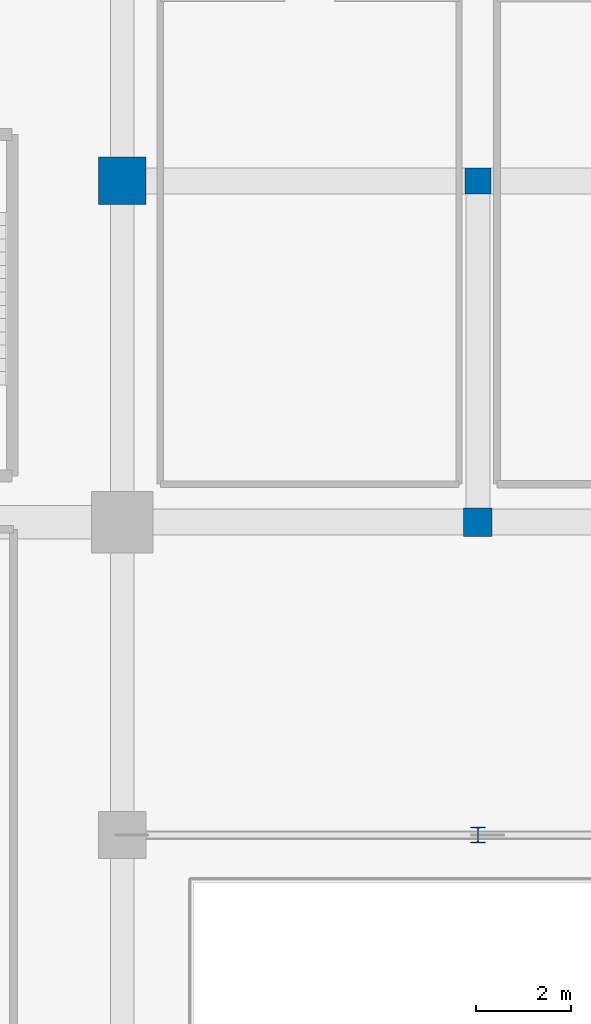
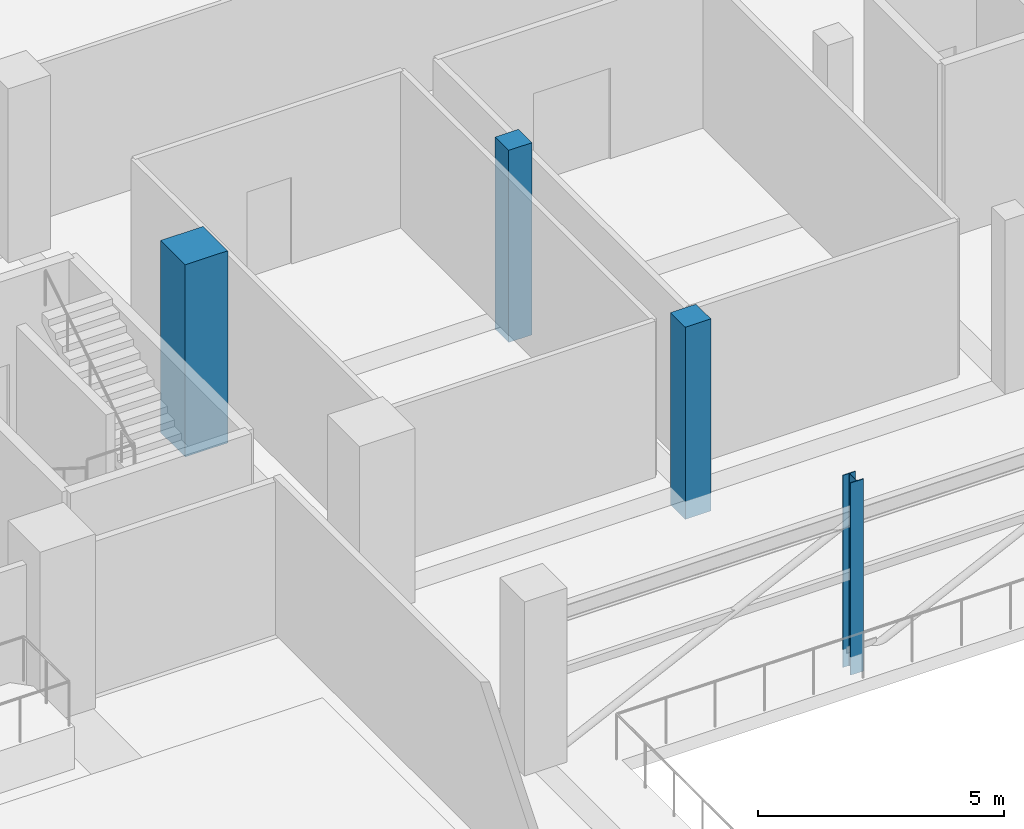
# One storey, part 3 of 68: 4 columns.
"""IFC4 building model written with IfcOpenShell, lengths in metres."""

import ifcopenshell
import ifcopenshell.guid

model = None  # the IFC model being written
_history = None  # IfcOwnerHistory: only IFC2X3 demands one
_inside = {}  # id of a spatial element -> (the spatial element, [elements in it])
_under = {}  # id of a project, library or spatial element -> (it, [spatial elements below it])
_declared = {}  # id of a project -> (the project, [libraries it declares])
_typed = {}  # id of a type object -> (the type object, [elements of that type])
_made_of = {}  # id of a material, layer set ... -> (it, [elements and type objects made of it])


def new_model(schema):
    """Start an empty IFC model of exactly this schema.

    Asked for "IFC4X3", IfcOpenShell would pick the latest addendum, in which some entities
    have other attributes; the version numbers below select the first issue.
    IFC2X3 requires an IfcOwnerHistory on every rooted entity: one is made here for all.
    """
    global model, _history
    if schema == "IFC4X3":
        model = ifcopenshell.file(schema_version=(4, 3, 0, 0))
    else:
        model = ifcopenshell.file(schema=schema)
    _inside.clear()
    _under.clear()
    _declared.clear()
    _typed.clear()
    _made_of.clear()
    _history = None
    if model.schema == "IFC2X3":
        org = make("IfcOrganization", Name="unknown")
        user = make(
            "IfcPersonAndOrganization",
            ThePerson=make("IfcPerson", FamilyName="unknown"),
            TheOrganization=org,
        )
        app = make(
            "IfcApplication",
            ApplicationDeveloper=org,
            Version="unknown",
            ApplicationFullName="unknown",
            ApplicationIdentifier="unknown",
        )
        _history = make(
            "IfcOwnerHistory",
            OwningUser=user,
            OwningApplication=app,
            ChangeAction="ADDED",
            CreationDate=0,
        )
    return model


def make(cls, **values):
    """One entity of the class cls with the attributes given. An attribute that is None is left unset."""
    return model.create_entity(
        cls, **{name: value for name, value in values.items() if value is not None}
    )


def rooted(cls, **values):
    """An entity with a GlobalId (a new one), such as an element, a storey or a relation."""
    return make(cls, GlobalId=ifcopenshell.guid.new(), OwnerHistory=_history, **values)


def si_unit(unit_type, name, prefix=None):
    """IfcSIUnit, for example si_unit("LENGTHUNIT", "METRE", prefix="MILLI")."""
    return make("IfcSIUnit", UnitType=unit_type, Prefix=prefix, Name=name)


def assignment(units):
    """IfcUnitAssignment: the units of a project."""
    return None if units is None else make("IfcUnitAssignment", Units=units)


def point(xyz):
    """IfcCartesianPoint."""
    return None if xyz is None else make("IfcCartesianPoint", Coordinates=xyz)


def direction(xyz):
    """IfcDirection."""
    return None if xyz is None else make("IfcDirection", DirectionRatios=xyz)


def frame(location, z_axis=None, x_axis=None):
    """IfcAxis2Placement3D, a coordinate frame: its origin and axes. An axis left out is left unset."""
    return make(
        "IfcAxis2Placement3D",
        Location=point(location),
        Axis=direction(z_axis),
        RefDirection=direction(x_axis),
    )


def frame_2d(location, x_axis=None):
    """IfcAxis2Placement2D, a coordinate frame in the plane: its origin and x axis."""
    return make(
        "IfcAxis2Placement2D", Location=point(location), RefDirection=direction(x_axis)
    )


def origin():
    """The frame at (0, 0, 0) with its axes left unset."""
    return frame((0.0, 0.0, 0.0))


def origin_2d():
    """The frame at (0, 0) in the plane with its x axis left unset."""
    return frame_2d((0.0, 0.0))


def place(relative_to, where):
    """IfcLocalPlacement: puts the frame where relative to a parent placement (None: the world)."""
    return make(
        "IfcLocalPlacement", PlacementRelTo=relative_to, RelativePlacement=where
    )


def context(
    kind, dimensions, precision=None, world=None, true_north=None, identifier=None
):
    """IfcGeometricRepresentationContext, for example the 3D "Model" context."""
    return make(
        "IfcGeometricRepresentationContext",
        ContextIdentifier=identifier,
        ContextType=kind,
        CoordinateSpaceDimension=dimensions,
        Precision=precision,
        WorldCoordinateSystem=world,
        TrueNorth=true_north,
    )


def subcontext(parent, identifier, kind, view, scale=None):
    """IfcGeometricRepresentationSubContext, for example "Body" below "Model"."""
    return make(
        "IfcGeometricRepresentationSubContext",
        ContextIdentifier=identifier,
        ContextType=kind,
        ParentContext=parent,
        TargetScale=scale,
        TargetView=view,
    )


def project(units=None, contexts=None):
    """IfcProject with its units and contexts."""
    return rooted(
        "IfcProject",
        Name="project",
        RepresentationContexts=contexts,
        UnitsInContext=assignment(units),
    )


def spatial(cls, under=None, at=None, **own):
    """A site, building, storey or space (cls), placed at a placement, below another one or the project."""
    s = rooted(cls, ObjectPlacement=at, **own)
    if under is not None:
        _under.setdefault(under.id(), (under, []))[1].append(s)
    return s


def profile(cls, at=None, kind="AREA", **sizes):
    """A parametric profile (cls). Its sizes go by their IFC names, for example OverallWidth=200.0."""
    return make(cls, ProfileType=kind, Position=at, **sizes)


def rectangle(**sizes):
    """IfcRectangleProfileDef."""
    return profile("IfcRectangleProfileDef", **sizes)


def i_section(**sizes):
    """IfcIShapeProfileDef."""
    return profile("IfcIShapeProfileDef", **sizes)


def extrude(swept, where, along, depth):
    """IfcExtrudedAreaSolid: the profile swept, set in the frame where, extruded along a direction by depth."""
    return make(
        "IfcExtrudedAreaSolid",
        SweptArea=swept,
        Position=where,
        ExtrudedDirection=direction(along),
        Depth=depth,
    )


def shape(context_of_items, identifier, shape_type, items):
    """IfcShapeRepresentation: the items that make up one representation, for example the "Body"."""
    return make(
        "IfcShapeRepresentation",
        ContextOfItems=context_of_items,
        RepresentationIdentifier=identifier,
        RepresentationType=shape_type,
        Items=items,
    )


def material(Name=None, Category=None):
    """IfcMaterial."""
    return make("IfcMaterial", Name=Name, Category=Category)


def material_profile(
    of_material, cross_section, Name=None, Category=None, Priority=None
):
    """IfcMaterialProfile: a cross section and its material."""
    return make(
        "IfcMaterialProfile",
        Name=Name,
        Material=of_material,
        Profile=cross_section,
        Priority=Priority,
        Category=Category,
    )


def profile_set(profiles, Name=None, composite=None):
    """IfcMaterialProfileSet."""
    return make(
        "IfcMaterialProfileSet",
        Name=Name,
        MaterialProfiles=profiles,
        CompositeProfile=composite,
    )


def made_of(thing, what):
    """Note that an element or type object is made of a material, layer set ...; save() writes the relation."""
    if what is not None:
        _made_of.setdefault(what.id(), (what, []))[1].append(thing)
    return thing


def type_object(cls, material=None, **own):
    """A type object (cls), such as IfcWallType, which elements share."""
    return made_of(rooted(cls, **own), material)


def element(
    cls,
    number,
    at=None,
    inside=None,
    cuts=None,
    type_object=None,
    material=None,
    context=None,
    identifier="Body",
    shape_type=None,
    held_by="IfcProductDefinitionShape",
    body=None,
    shapes=None,
    **own,
):
    """One element of the class cls, such as IfcWall. Its Tag is "e" and its number.

    at: its placement. inside: the storey or other place that contains it. cuts: it is an
    opening in that element (IfcRelVoidsElement). A single representation is given by context,
    identifier, shape_type and body (its items); several are given by shapes. held_by: the class
    of the entity that holds the representations. save() writes the other relations.
    """
    e = rooted(cls, Tag="e%d" % number, ObjectPlacement=at, **own)
    if body is not None:
        shapes = [shape(context, identifier, shape_type, body)]
    if shapes is not None:
        e.Representation = make(held_by, Representations=shapes)
    if inside is not None:
        _inside.setdefault(inside.id(), (inside, []))[1].append(e)
    if cuts is not None:
        rooted(
            "IfcRelVoidsElement", RelatingBuildingElement=cuts, RelatedOpeningElement=e
        )
    if type_object is not None:
        _typed.setdefault(type_object.id(), (type_object, []))[1].append(e)
    return made_of(e, material)


def aggregate(whole, parts):
    """IfcRelAggregates: a whole, such as a stair, and the parts it consists of."""
    return rooted("IfcRelAggregates", RelatingObject=whole, RelatedObjects=parts)


def save(model, path):
    """Write the relations noted so far, then the file.

    IfcRelAggregates (storeys below a building ...), IfcRelContainedInSpatialStructure (elements
    in a storey), IfcRelDefinesByType, IfcRelAssociatesMaterial and IfcRelDeclares: one each for
    every whole, place, type object, material and project.
    """
    for whole, parts in _under.values():
        aggregate(whole, parts)
    for where, things in _inside.values():
        rooted(
            "IfcRelContainedInSpatialStructure",
            RelatedElements=things,
            RelatingStructure=where,
        )
    for kind, things in _typed.values():
        rooted("IfcRelDefinesByType", RelatedObjects=things, RelatingType=kind)
    for what, things in _made_of.values():
        rooted("IfcRelAssociatesMaterial", RelatedObjects=things, RelatingMaterial=what)
    for by, libraries in _declared.values():
        rooted("IfcRelDeclares", RelatingContext=by, RelatedDefinitions=libraries)
    model.write(path)


model = new_model("IFC4")

# Units and contexts
model_context = context("Model", 3, precision=1e-05, world=origin(), true_north=direction((0.0, 1.0)))
body_context = subcontext(model_context, "Body", "Model", "MODEL_VIEW")
ifc_project = project(units=[si_unit("LENGTHUNIT", "METRE"), si_unit("AREAUNIT", "SQUARE_METRE"), si_unit("VOLUMEUNIT", "CUBIC_METRE"), si_unit("PLANEANGLEUNIT", "RADIAN"), si_unit("MASSUNIT", "GRAM", prefix="KILO")], contexts=[model_context])

# Site, building, storey
site_placement = place(None, origin())
site = spatial("IfcSite", under=ifc_project, at=site_placement, CompositionType="ELEMENT")
building_placement = place(site_placement, origin())
building = spatial("IfcBuilding", under=site, at=building_placement, Name="Akrevak Sports Hall", CompositionType="ELEMENT")
storey_placement = place(building_placement, frame((0.0, 0.0, 9.39990234375)))
storey = spatial("IfcBuildingStorey", under=building, at=storey_placement, Name="L02", CompositionType="ELEMENT", Elevation=9.39990234375)

# Columns
ifc_material_1 = material(Name="Concrete C50/60", Category="concrete")
ifc_material_profile_1 = material_profile(ifc_material_1, rectangle(XDim=1.0, YDim=1.0, at=origin_2d()), Name="RC 1000x1000", Category="concrete")
ifc_profile_set_1 = profile_set([ifc_material_profile_1], Name="Concrete C50/60")
column_type_1 = type_object("IfcColumnType", Name="STR-COL-RC1000", PredefinedType="COLUMN", material=ifc_profile_set_1)
column_1_placement = place(storey_placement, frame((115.5, 62.39990234375, -0.449951171875), z_axis=(0.0, 0.0, 1.0), x_axis=(1.0, 0.0, 0.0)))
element("IfcColumn", 1, at=column_1_placement, inside=storey, type_object=column_type_1, Name="Column 16/J (L02)", PredefinedType="COLUMN", context=body_context, shape_type="SweptSolid", body=[
    extrude(rectangle(XDim=1.0, YDim=1.0, at=origin_2d()), origin(), (0.0, 0.0, 1.0), 4.77001953125),
])
ifc_material_2 = material(Name="Concrete C40/50", Category="concrete")
ifc_material_profile_2 = material_profile(ifc_material_2, rectangle(XDim=0.550048828125, YDim=0.550048828125, at=origin_2d()), Name="RC 550x550", Category="concrete")
ifc_profile_set_2 = profile_set([ifc_material_profile_2], Name="Concrete C40/50")
column_type_2 = type_object("IfcColumnType", Name="STR-COL-RC550", PredefinedType="COLUMN", material=ifc_profile_set_2)
column_2_placement = place(storey_placement, frame((123.0, 62.39990234375, -0.449951171875), z_axis=(0.0, 0.0, 1.0), x_axis=(1.0, 0.0, 0.0)))
element("IfcColumn", 2, at=column_2_placement, inside=storey, type_object=column_type_2, Name="Column 17/J (L02)", PredefinedType="COLUMN", context=body_context, shape_type="SweptSolid", body=[
    extrude(rectangle(XDim=0.550048828125, YDim=0.550048828125, at=origin_2d()), origin(), (0.0, 0.0, 1.0), 4.77001953125),
])
ifc_material_profile_3 = material_profile(ifc_material_2, rectangle(XDim=0.60009765625, YDim=0.60009765625, at=origin_2d()), Name="RC 600x600", Category="concrete")
ifc_profile_set_3 = profile_set([ifc_material_profile_3], Name="Concrete C40/50")
column_type_3 = type_object("IfcColumnType", Name="STR-COL-RC600", PredefinedType="COLUMN", material=ifc_profile_set_3)
column_3_placement = place(storey_placement, frame((123.0, 55.199951171875, -0.449951171875), z_axis=(0.0, 0.0, 1.0), x_axis=(1.0, 0.0, 0.0)))
element("IfcColumn", 3, at=column_3_placement, inside=storey, type_object=column_type_3, Name="Column 17/I (L02)", PredefinedType="COLUMN", context=body_context, shape_type="SweptSolid", body=[
    extrude(rectangle(XDim=0.60009765625, YDim=0.60009765625, at=origin_2d()), origin(), (0.0, 0.0, 1.0), 4.77001953125),
])
ifc_material_3 = material(Name="Steel S355", Category="steel")
ifc_material_profile_4 = material_profile(ifc_material_3, i_section(OverallWidth=0.300048828125, OverallDepth=0.330078125, WebThickness=0.009521484375, FlangeThickness=0.0166015625, FilletRadius=0.027099609375, at=origin_2d()), Name="HEA 340", Category="steel")
ifc_profile_set_4 = profile_set([ifc_material_profile_4], Name="Steel S355")
column_type_4 = type_object("IfcColumnType", Name="STR-COL-STL-HEA340", PredefinedType="COLUMN", material=ifc_profile_set_4)
column_4_placement = place(storey_placement, frame((123.0, 48.60009765625, -0.449951171875), z_axis=(0.0, 0.0, 1.0), x_axis=(1.0, 0.0, 0.0)))
element("IfcColumn", 4, at=column_4_placement, inside=storey, type_object=column_type_4, Name="Climbing Wall Steel Column SC-1 (L02)", PredefinedType="COLUMN", context=body_context, shape_type="SweptSolid", body=[
    extrude(i_section(OverallWidth=0.300048828125, OverallDepth=0.330078125, WebThickness=0.009521484375, FlangeThickness=0.0166015625, FilletRadius=0.027099609375, at=origin_2d()), origin(), (0.0, 0.0, 1.0), 4.77001953125),
])

save(model, "model.ifc")
